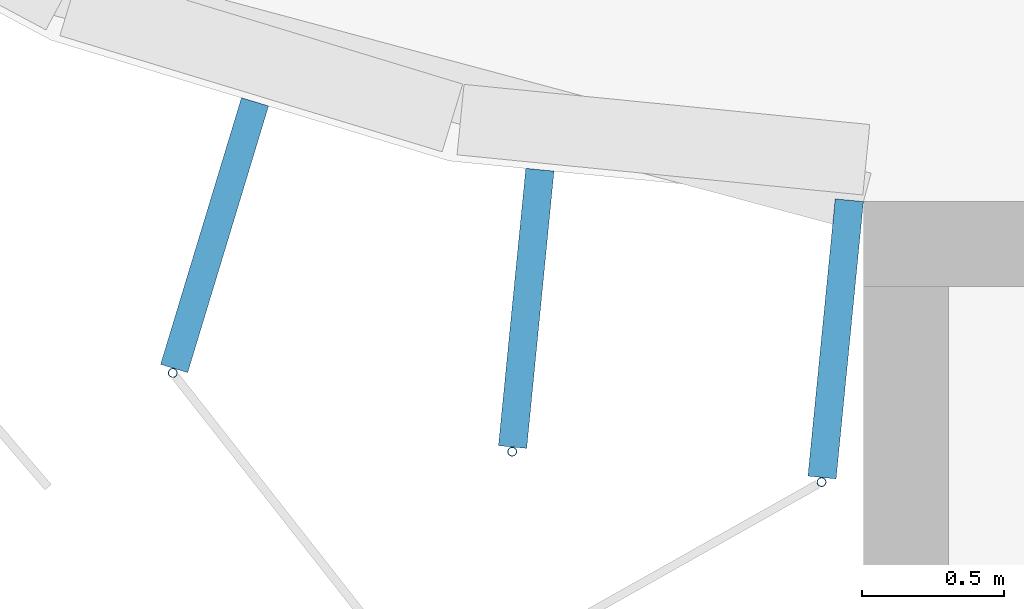
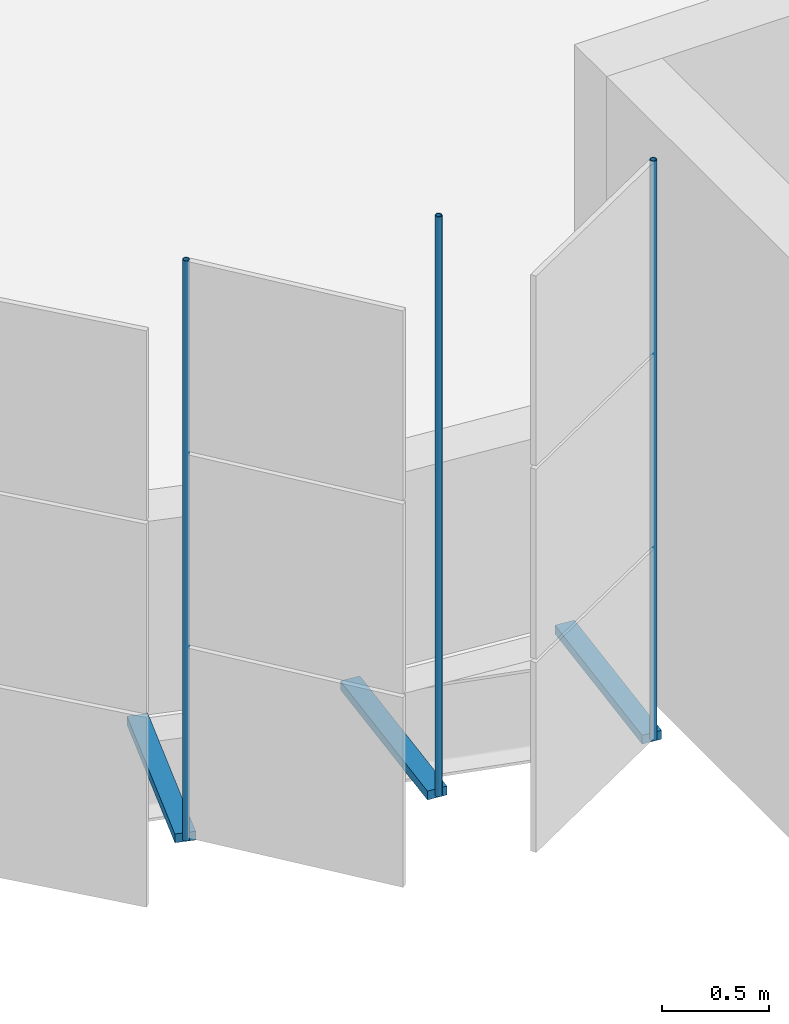
# One storey, part 91 of 199: 6 discrete accessories.
"""IFC4 building model written with IfcOpenShell, lengths in metres."""

from ifc_helpers import new_model, si_unit, direction, frame, origin, origin_2d, place, context, subcontext, project, spatial, rectangle, hollow_circle, extrude, material, material_profile, profile_set, type_object, element, save


model = new_model("IFC4")

# Units and contexts
model_context = context("Model", 3, precision=1e-05, world=origin(), true_north=direction((0.0, 1.0)))
body_context = subcontext(model_context, "Body", "Model", "MODEL_VIEW")
ifc_project = project(units=[si_unit("LENGTHUNIT", "METRE"), si_unit("AREAUNIT", "SQUARE_METRE"), si_unit("VOLUMEUNIT", "CUBIC_METRE"), si_unit("PLANEANGLEUNIT", "RADIAN"), si_unit("MASSUNIT", "GRAM", prefix="KILO")], contexts=[model_context])

# Site, building, storey
site_placement = place(None, origin())
site = spatial("IfcSite", under=ifc_project, at=site_placement, CompositionType="ELEMENT")
building_placement = place(site_placement, origin())
building = spatial("IfcBuilding", under=site, at=building_placement, Name="Parallax Yard Mobility Hub", CompositionType="ELEMENT")
storey_placement = place(building_placement, frame((0.0, 0.0, 9.89990234375)))
storey = spatial("IfcBuildingStorey", under=building, at=storey_placement, Name="L03", CompositionType="ELEMENT", Elevation=9.89990234375)

# Discrete accessories
ifc_material_1 = material(Name="Steel ASTM A36, hot-dip galvanised", Category="steel")
discrete_accessory_type_1 = type_object("IfcDiscreteAccessoryType", Name="Hinge bracket plate 100x50", PredefinedType="BRACKET", material=ifc_material_1)
for number, where, z_axis, x_axis, name in (
    (1, (200.2080078125, 22.3818359375, -0.02490234375), (0.0, 0.0, 1.0), (-0.290284677254, -0.956940335732, 0.0), "Hinge bracket plate bay 30.10 level L03"),
    (2, (201.30908203125, 22.123291015625, -0.02490234375), (0.0, 0.0, 1.0), (-0.09801714033, -0.995184726672, 0.0), "Hinge bracket plate bay 30.11 level L03"),
    (3, (202.402099609375, 22.015625, -0.02490234375), (0.0, 0.0, 1.0), (-0.09801714033, -0.995184726672, 0.0), "Hinge bracket plate bay 30.12 level L03"),
):
    element("IfcDiscreteAccessory", number, at=place(storey_placement, frame(where, z_axis=z_axis, x_axis=x_axis)), inside=storey, type_object=discrete_accessory_type_1, Name=name, PredefinedType="BRACKET", context=body_context, shape_type="SweptSolid", body=[
        extrude(rectangle(XDim=0.984130859375, YDim=0.10009765625, at=origin_2d()), origin(), (0.0, 0.0, 1.0), 0.050048828125),
    ])
ifc_material_2 = material(Name="Steel ASTM A500 Gr C, hot-dip galvanised", Category="steel")
ifc_material_profile = material_profile(ifc_material_2, hollow_circle(Radius=0.016845703125, WallThickness=0.003173828125, at=origin_2d()), Name="CHS 33.7x3.2")
ifc_profile_set = profile_set([ifc_material_profile], Name="Steel ASTM A500 Gr C, hot-dip galvanised")
discrete_accessory_type_2 = type_object("IfcDiscreteAccessoryType", Name="Hinge post CHS 33.7x3.2", PredefinedType="BRACKET", material=ifc_profile_set)
for number, where, z_axis, x_axis, name in (
    (4, (200.060302734375, 21.895263671875, 0.0), (0.0, 0.0, 1.0), (1.0, 0.0, 0.0), "Hinge post bay 30.10 level L03"),
    (5, (201.25927734375, 21.617431640625, 0.0), (0.0, 0.0, 1.0), (1.0, 0.0, 0.0), "Hinge post bay 30.11 level L03"),
    (6, (202.352294921875, 21.509765625, 0.0), (0.0, 0.0, 1.0), (1.0, 0.0, 0.0), "Hinge post bay 30.12 level L03"),
):
    element("IfcDiscreteAccessory", number, at=place(storey_placement, frame(where, z_axis=z_axis, x_axis=x_axis)), inside=storey, type_object=discrete_accessory_type_2, Name=name, PredefinedType="BRACKET", context=body_context, shape_type="SweptSolid", body=[
        extrude(hollow_circle(Radius=0.016845703125, WallThickness=0.003173828125, at=origin_2d()), origin(), (0.0, 0.0, 1.0), 3.300048828125),
    ])

save(model, "model.ifc")
